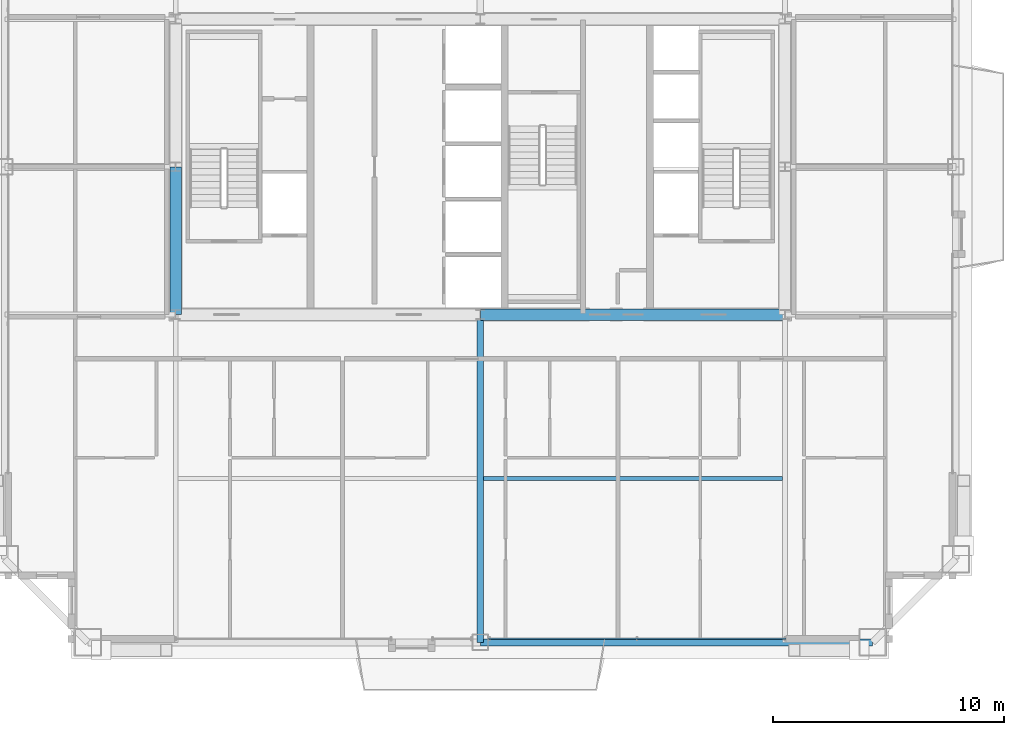
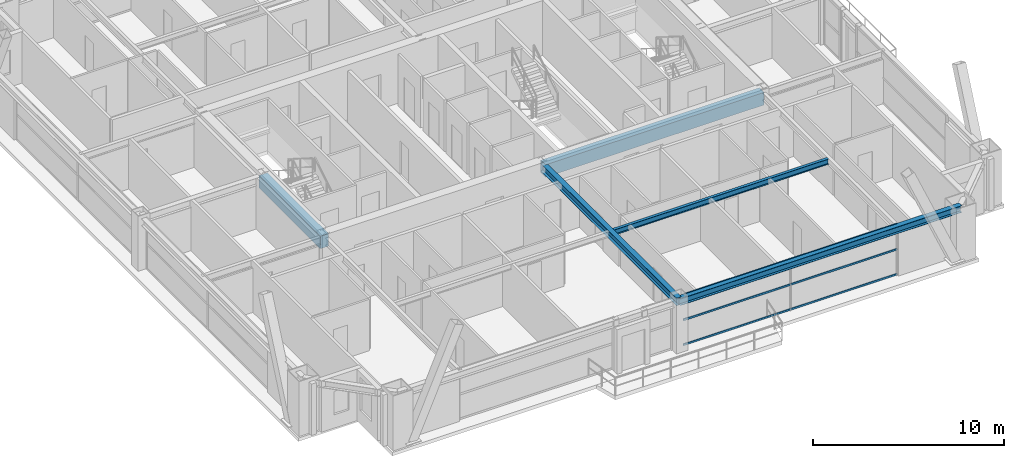
# One storey, part 10 of 35: 5 beams, 3 members, 1 element without a shape of its own.
"""IFC4 building model written with IfcOpenShell, lengths in metres."""

from ifc_helpers import new_model, si_unit, direction, frame, origin, origin_2d, place, context, subcontext, project, spatial, rectangle, hollow_rectangle, i_section, extrude, source, transform, mapped, material, layer, layer_set, material_profile, profile_set, type_object, element, aggregate, save


model = new_model("IFC4")

# Units and contexts
model_context = context("Model", 3, precision=1e-05, world=origin(), true_north=direction((0.0, 1.0)))
body_context = subcontext(model_context, "Body", "Model", "MODEL_VIEW")
ifc_project = project(units=[si_unit("LENGTHUNIT", "METRE"), si_unit("AREAUNIT", "SQUARE_METRE"), si_unit("VOLUMEUNIT", "CUBIC_METRE"), si_unit("PLANEANGLEUNIT", "RADIAN"), si_unit("MASSUNIT", "GRAM", prefix="KILO"), si_unit("THERMODYNAMICTEMPERATUREUNIT", "KELVIN"), si_unit("POWERUNIT", "WATT")], contexts=[model_context])

# Site, building, storey
site_placement = place(None, origin())
site = spatial("IfcSite", under=ifc_project, at=site_placement, CompositionType="ELEMENT")
building_placement = place(site_placement, origin())
building = spatial("IfcBuilding", under=site, at=building_placement, Name="Yuzanri Waterfront Tower", CompositionType="ELEMENT")
storey_placement = place(building_placement, frame((0.0, 0.0, 248.60009765625)))
storey = spatial("IfcBuildingStorey", under=building, at=storey_placement, Name="L66", CompositionType="ELEMENT", Elevation=248.60009765625)

# Beams
ifc_material_1 = material(Name="Concrete C50", Category="concrete")
ifc_material_profile_1 = material_profile(ifc_material_1, rectangle(XDim=0.5, YDim=0.800048828125, at=origin_2d()), Name="RC 500x800")
ifc_profile_set_1 = profile_set([ifc_material_profile_1], Name="Concrete C50")
beam_type_1 = type_object("IfcBeamType", Name="Core Coupling Lintel Concrete C50 500x800", PredefinedType="LINTEL", material=ifc_profile_set_1)
shared_shape_1 = source(origin(), body_context, "Body", "SweptSolid", [
    extrude(rectangle(XDim=0.5, YDim=0.800048828125, at=origin_2d()), origin(), (0.0, 0.0, 1.0), 13.199951171875),
])
beam_1_placement = place(storey_placement, frame((37.0, 19.39990234375, 2.8798828125), z_axis=(1.0, 0.0, 0.0), x_axis=(0.0, 1.0, 0.0)))
element("IfcBeam", 1, at=beam_1_placement, inside=storey, type_object=beam_type_1, Name="L66 Core Tie Beam CS2", PredefinedType="LINTEL", context=body_context, shape_type="MappedRepresentation", body=[
    mapped(shared_shape_1, transform((0.0, 0.0, 0.0), scale=1.0)),
])
shared_shape_2 = source(origin(), body_context, "Body", "SweptSolid", [
    extrude(rectangle(XDim=0.5, YDim=0.800048828125, at=origin_2d()), origin(), (0.0, 0.0, 1.0), 6.400146484375),
])
beam_2_placement = place(storey_placement, frame((23.800048828125, 19.39990234375, 2.8798828125), z_axis=(0.0, 1.0, 0.0), x_axis=(-1.0, 0.0, 0.0)))
element("IfcBeam", 2, at=beam_2_placement, inside=storey, type_object=beam_type_1, Name="L66 Core Tie Beam CW1", PredefinedType="LINTEL", context=body_context, shape_type="MappedRepresentation", body=[
    mapped(shared_shape_2, transform((0.0, 0.0, 0.0), scale=1.0)),
])
ifc_material_2 = material(Name="Steel Q355B", Category="steel")
ifc_material_profile_2 = material_profile(ifc_material_2, i_section(OverallWidth=0.300048828125, OverallDepth=0.43994140625, WebThickness=0.010986328125, FlangeThickness=0.01806640625, at=origin_2d()), Name="HM 440x300x11x18")
ifc_profile_set_2 = profile_set([ifc_material_profile_2], Name="Steel Q355B")
beam_type_2 = type_object("IfcBeamType", Name="Perimeter Spandrel Q355B HM 440x300", PredefinedType="SPANDREL", material=ifc_profile_set_2)
shared_shape_3 = source(origin(), body_context, "Body", "SweptSolid", [
    extrude(i_section(OverallWidth=0.300048828125, OverallDepth=0.43994140625, WebThickness=0.010986328125, FlangeThickness=0.01806640625, at=origin_2d()), origin(), (0.0, 0.0, 1.0), 17.0),
])
beam_3_placement = place(storey_placement, frame((37.0, 5.199951171875, 3.059814453125), z_axis=(1.0, 0.0, 0.0), x_axis=(0.0, 1.0, 0.0)))
element("IfcBeam", 3, at=beam_3_placement, inside=storey, type_object=beam_type_2, Name="L66 Perimeter Spandrel S2-S3", PredefinedType="SPANDREL", context=body_context, shape_type="MappedRepresentation", body=[
    mapped(shared_shape_3, transform((0.0, 0.0, 0.0), scale=1.0)),
])
ifc_material_3 = material(Name="Steel Q355B", Category="steel")
ifc_material_profile_3 = material_profile(ifc_material_3, i_section(OverallWidth=0.300048828125, OverallDepth=0.488037109375, WebThickness=0.010986328125, FlangeThickness=0.01806640625, at=origin_2d()), Name="HM 488x300x11x18")
ifc_profile_set_3 = profile_set([ifc_material_profile_3], Name="Steel Q355B")
beam_type_3 = type_object("IfcBeamType", Name="Primary Floor Girder Q355B HM 488x300", PredefinedType="BEAM", material=ifc_profile_set_3)
shared_shape_4 = source(origin(), body_context, "Body", "SweptSolid", [
    extrude(i_section(OverallWidth=0.300048828125, OverallDepth=0.488037109375, WebThickness=0.010986328125, FlangeThickness=0.01806640625, at=origin_2d()), origin(), (0.0, 0.0, 1.0), 14.199951171875),
])
beam_4_placement = place(storey_placement, frame((37.0, 19.39990234375, 3.035888671875), z_axis=(0.0, -1.0, 0.0), x_axis=(1.0, 0.0, 0.0)))
element("IfcBeam", 4, at=beam_4_placement, inside=storey, type_object=beam_type_3, Name="L66 South Grid Girder", PredefinedType="BEAM", context=body_context, shape_type="MappedRepresentation", body=[
    mapped(shared_shape_4, transform((0.0, 0.0, 0.0), scale=1.0)),
])
ifc_material_4 = material(Name="Steel Q355B", Category="steel")
ifc_material_profile_4 = material_profile(ifc_material_4, i_section(OverallWidth=0.175048828125, OverallDepth=0.35009765625, WebThickness=0.007080078125, FlangeThickness=0.010986328125, at=origin_2d()), Name="HN 350x175x7x11")
ifc_profile_set_4 = profile_set([ifc_material_profile_4], Name="Steel Q355B")
beam_type_4 = type_object("IfcBeamType", Name="Floor Joist Q355B HN 350x175", PredefinedType="JOIST", material=ifc_profile_set_4)
shared_shape_5 = source(origin(), body_context, "Body", "SweptSolid", [
    extrude(i_section(OverallWidth=0.175048828125, OverallDepth=0.35009765625, WebThickness=0.007080078125, FlangeThickness=0.010986328125, at=origin_2d()), origin(), (0.0, 0.0, 1.0), 12.9501953125),
])
beam_5_placement = place(storey_placement, frame((37.14990234375, 12.300048828125, 3.10498046875), z_axis=(1.0, 0.0, 0.0), x_axis=(0.0, 1.0, 0.0)))
element("IfcBeam", 5, at=beam_5_placement, inside=storey, type_object=beam_type_4, Name="L66 South Bay Joist E", PredefinedType="JOIST", context=body_context, shape_type="MappedRepresentation", body=[
    mapped(shared_shape_5, transform((0.0, 0.0, 0.0), scale=1.0)),
])

# Curtain wall, members
ifc_material_5 = material(Name="Anodized Architectural Bronze", Category="metal")
ifc_layer = layer(ifc_material_5, 0.159912109375)
ifc_layer_set = layer_set([ifc_layer], Name="Anodized Architectural Bronze")
curtain_wall_type = type_object("IfcCurtainWallType", Name="Anodized Bronze Mid-Rise Residential Acoustic Unitized Curtain Wall 7200", PredefinedType="NOTDEFINED", material=ifc_layer_set)
curtain_wall_placement = place(storey_placement, origin())
curtain_wall = element("IfcCurtainWall", 6, at=curtain_wall_placement, inside=storey, type_object=curtain_wall_type, Name="L66 Curtain Wall CW-L66-SR", PredefinedType="NOTDEFINED")
ifc_material_6 = material(Name="Anodized Architectural Bronze", Category="metal")
ifc_material_profile_5 = material_profile(ifc_material_6, hollow_rectangle(XDim=0.06494140625, YDim=0.1201171875, WallThickness=0.00341796875, at=origin_2d()), Name="CWT 65x120")
ifc_profile_set_5 = profile_set([ifc_material_profile_5], Name="Anodized Architectural Bronze")
member_type = type_object("IfcMemberType", Name="Anodized Bronze Secondary Curtain-Wall Transom 65x120", PredefinedType="USERDEFINED", material=ifc_profile_set_5)
shared_shape_6 = source(origin(), body_context, "Body", "SweptSolid", [
    extrude(hollow_rectangle(XDim=0.06494140625, YDim=0.1201171875, WallThickness=0.00341796875, at=origin_2d()), origin(), (0.0, 0.0, 1.0), 12.89990234375),
])
member_1_placement = place(storey_placement, frame((37.35009765625, 5.35009765625, 0.0498046875), z_axis=(1.0, 0.0, 0.0), x_axis=(0.0, 1.0, 0.0)))
member_1 = element("IfcMember", 7, at=member_1_placement, type_object=member_type, Name="CW-L66-SR Transom 1", ObjectType="TRANSOM", PredefinedType="USERDEFINED", context=body_context, shape_type="MappedRepresentation", body=[
    mapped(shared_shape_6, transform((0.0, 0.0, 0.0), scale=1.0)),
])
member_2_placement = place(storey_placement, frame((37.35009765625, 5.35009765625, 1.639892578125), z_axis=(1.0, 0.0, 0.0), x_axis=(0.0, 1.0, 0.0)))
member_2 = element("IfcMember", 8, at=member_2_placement, type_object=member_type, Name="CW-L66-SR Transom 2", ObjectType="TRANSOM", PredefinedType="USERDEFINED", context=body_context, shape_type="MappedRepresentation", body=[
    mapped(shared_shape_6, transform((0.0, 0.0, 0.0), scale=1.0)),
])
member_3_placement = place(storey_placement, frame((37.35009765625, 5.35009765625, 3.22998046875), z_axis=(1.0, 0.0, 0.0), x_axis=(0.0, 1.0, 0.0)))
member_3 = element("IfcMember", 9, at=member_3_placement, type_object=member_type, Name="CW-L66-SR Transom 3", ObjectType="TRANSOM", PredefinedType="USERDEFINED", context=body_context, shape_type="MappedRepresentation", body=[
    mapped(shared_shape_6, transform((0.0, 0.0, 0.0), scale=1.0)),
])
aggregate(curtain_wall, [member_1, member_2, member_3])

save(model, "model.ifc")
